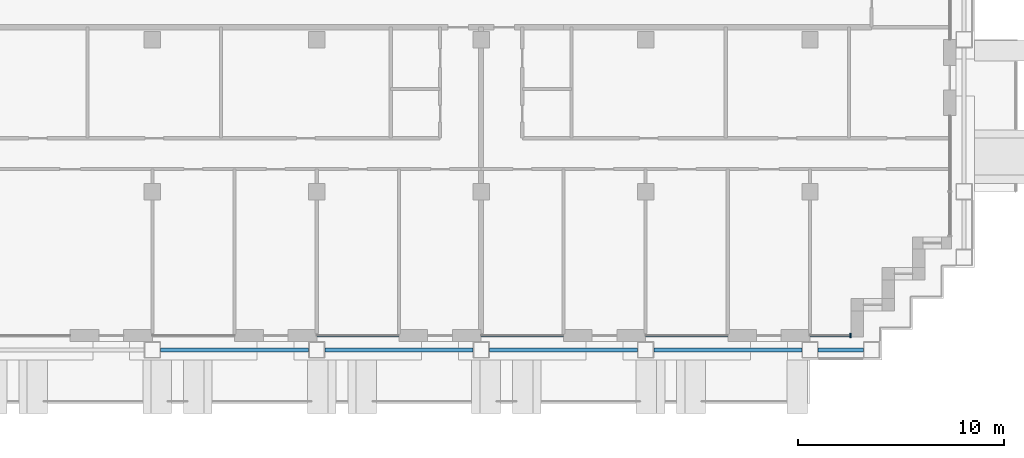
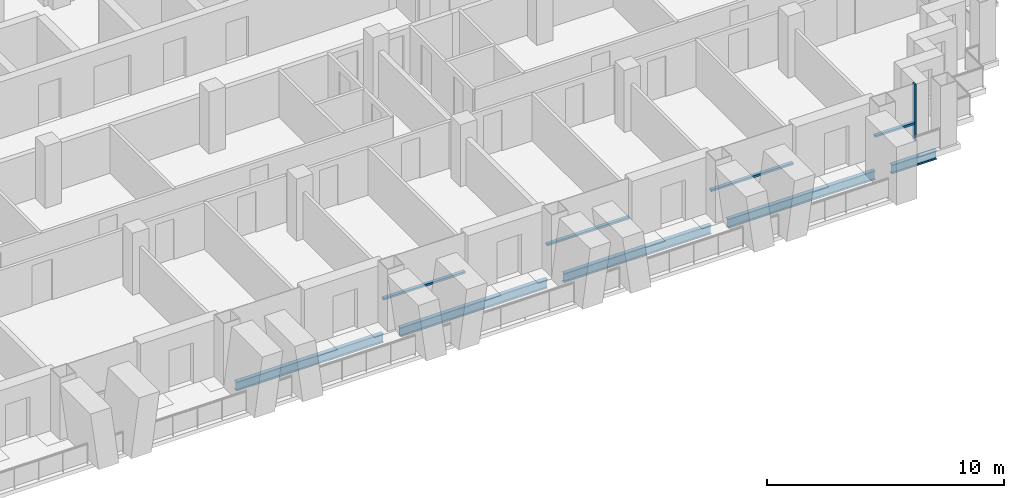
# One storey, part 3 of 18: 5 beams, 5 members, 4 elements without a shape of their own.
"""IFC4 building model written with IfcOpenShell, lengths in metres."""

from ifc_helpers import new_model, si_unit, direction, frame, origin, origin_2d, place, context, subcontext, project, spatial, rectangle, i_section, extrude, material, material_profile, profile_set, type_object, element, aggregate, save


model = new_model("IFC4")

# Units and contexts
model_context = context("Model", 3, precision=1e-05, world=origin(), true_north=direction((0.0, 1.0)))
body_context = subcontext(model_context, "Body", "Model", "MODEL_VIEW")
ifc_project = project(units=[si_unit("LENGTHUNIT", "METRE"), si_unit("AREAUNIT", "SQUARE_METRE"), si_unit("VOLUMEUNIT", "CUBIC_METRE"), si_unit("PLANEANGLEUNIT", "RADIAN"), si_unit("MASSUNIT", "GRAM", prefix="KILO")], contexts=[model_context])

# Site, building, storey
site_placement = place(None, origin())
site = spatial("IfcSite", under=ifc_project, at=site_placement, CompositionType="ELEMENT")
building_placement = place(site_placement, origin())
building = spatial("IfcBuilding", under=site, at=building_placement, Name="Vidyagriha Tower", CompositionType="ELEMENT")
storey_placement = place(building_placement, frame((0.0, 0.0, 142.199951171875)))
storey = spatial("IfcBuildingStorey", under=building, at=storey_placement, Name="L37", CompositionType="ELEMENT", Elevation=142.199951171875)

# Beams
ifc_material_1 = material(Name="Steel ASTM A992 Grade 50", Category="steel")
ifc_material_profile_1 = material_profile(ifc_material_1, i_section(OverallWidth=0.19189453125, OverallDepth=0.46240234375, WebThickness=0.010498046875, FlangeThickness=0.017578125, at=origin_2d()), Name="W18X60")
ifc_profile_set_1 = profile_set([ifc_material_profile_1], Name="Steel ASTM A992 Grade 50")
beam_type = type_object("IfcBeamType", Name="Edge beam W18X60", PredefinedType="SPANDREL", material=ifc_profile_set_1)
for number, where, z_axis, x_axis, name in (
    (1, (-5.60009765625, -17.10009765625, -0.510986328125), (1.0, 0.0, 0.0), (0.0, 1.0, 0.0), "st-beam-L37-S04"),
    (2, (2.39990234375, -17.10009765625, -0.510986328125), (1.0, 0.0, 0.0), (0.0, 1.0, 0.0), "st-beam-L37-S05"),
    (3, (10.39990234375, -17.10009765625, -0.510986328125), (1.0, 0.0, 0.0), (0.0, 1.0, 0.0), "st-beam-L37-S06"),
    (4, (18.39990234375, -17.10009765625, -0.510986328125), (1.0, 0.0, 0.0), (0.0, 1.0, 0.0), "st-beam-L37-S07"),
):
    element("IfcBeam", number, at=place(storey_placement, frame(where, z_axis=z_axis, x_axis=x_axis)), inside=storey, type_object=beam_type, Name=name, PredefinedType="SPANDREL", context=body_context, shape_type="SweptSolid", body=[
        extrude(i_section(OverallWidth=0.19189453125, OverallDepth=0.46240234375, WebThickness=0.010498046875, FlangeThickness=0.017578125, at=origin_2d()), origin(), (0.0, 0.0, 1.0), 7.2001953125),
    ])
beam_placement = place(storey_placement, frame((26.39990234375, -17.10009765625, -0.510986328125), z_axis=(1.0, 0.0, 0.0), x_axis=(0.0, 1.0, 0.0)))
element("IfcBeam", 5, at=beam_placement, inside=storey, type_object=beam_type, Name="st-beam-L37-S08", PredefinedType="SPANDREL", context=body_context, shape_type="SweptSolid", body=[
    extrude(i_section(OverallWidth=0.19189453125, OverallDepth=0.46240234375, WebThickness=0.010498046875, FlangeThickness=0.017578125, at=origin_2d()), origin(), (0.0, 0.0, 1.0), 2.2001953125),
])

# Curtain wall, member
ifc_material_2 = material(Name="Aluminium and glass curtain wall", Category="aluminium")
curtain_wall_type = type_object("IfcCurtainWallType", Name="Dwelling skin unitised curtain wall", PredefinedType="USERDEFINED", material=ifc_material_2)
curtain_wall_1_placement = place(storey_placement, origin())
curtain_wall_1 = element("IfcCurtainWall", 6, at=curtain_wall_1_placement, inside=storey, type_object=curtain_wall_type, Name="CW1 dwelling skin", ObjectType="UNITISED", PredefinedType="USERDEFINED")
ifc_material_3 = material(Name="Aluminium black anodised", Category="aluminium")
ifc_material_profile_2 = material_profile(ifc_material_3, rectangle(XDim=0.199951171875, YDim=0.070068359375, at=origin_2d()), Name="Mullion 70x200 black aluminium")
ifc_profile_set_2 = profile_set([ifc_material_profile_2], Name="Aluminium black anodised")
member_type_1 = type_object("IfcMemberType", Name="Mullion 70x200 black aluminium", PredefinedType="MULLION", material=ifc_profile_set_2)
member_1_placement = place(storey_placement, frame((27.965087890625, -16.39990234375, 0.0), z_axis=(0.0, 0.0, 1.0), x_axis=(0.0, 1.0, 0.0)))
member_1 = element("IfcMember", 7, at=member_1_placement, type_object=member_type_1, Name="CW1 mullion 2", PredefinedType="MULLION", context=body_context, shape_type="SweptSolid", body=[
    extrude(rectangle(XDim=0.199951171875, YDim=0.070068359375, at=origin_2d()), origin(), (0.0, 0.0, 1.0), 2.920166015625),
])

curtain_wall_2_placement = place(storey_placement, origin())
curtain_wall_2 = element("IfcCurtainWall", 8, at=curtain_wall_2_placement, inside=storey, type_object=curtain_wall_type, Name="CW1 dwelling skin", ObjectType="UNITISED", PredefinedType="USERDEFINED")
ifc_material_4 = material(Name="Aluminium black anodised", Category="aluminium")
ifc_material_profile_3 = material_profile(ifc_material_4, rectangle(XDim=0.159912109375, YDim=0.10009765625, at=origin_2d()), Name="Transom 100x160 black aluminium")
ifc_profile_set_3 = profile_set([ifc_material_profile_3], Name="Aluminium black anodised")
member_type_2 = type_object("IfcMemberType", Name="Transom 100x160 black aluminium", PredefinedType="USERDEFINED", material=ifc_profile_set_3)
member_2_placement = place(storey_placement, frame((2.0, -16.39990234375, 0.900146484375), z_axis=(1.0, 0.0, 0.0), x_axis=(0.0, 1.0, 0.0)))
member_2 = element("IfcMember", 9, at=member_2_placement, type_object=member_type_2, Name="CW1 transom 1.1", ObjectType="TRANSOM", PredefinedType="USERDEFINED", context=body_context, shape_type="SweptSolid", body=[
    extrude(rectangle(XDim=0.159912109375, YDim=0.10009765625, at=origin_2d()), origin(), (0.0, 0.0, 1.0), 4.0),
])
aggregate(curtain_wall_2, [member_2])

curtain_wall_3_placement = place(storey_placement, origin())
curtain_wall_3 = element("IfcCurtainWall", 10, at=curtain_wall_3_placement, inside=storey, type_object=curtain_wall_type, Name="CW1 dwelling skin", ObjectType="UNITISED", PredefinedType="USERDEFINED")
member_3_placement = place(storey_placement, frame((10.0, -16.39990234375, 0.900146484375), z_axis=(1.0, 0.0, 0.0), x_axis=(0.0, 1.0, 0.0)))
member_3 = element("IfcMember", 11, at=member_3_placement, type_object=member_type_2, Name="CW1 transom 1.1", ObjectType="TRANSOM", PredefinedType="USERDEFINED", context=body_context, shape_type="SweptSolid", body=[
    extrude(rectangle(XDim=0.159912109375, YDim=0.10009765625, at=origin_2d()), origin(), (0.0, 0.0, 1.0), 4.0),
])
aggregate(curtain_wall_3, [member_3])

curtain_wall_4_placement = place(storey_placement, origin())
curtain_wall_4 = element("IfcCurtainWall", 12, at=curtain_wall_4_placement, inside=storey, type_object=curtain_wall_type, Name="CW1 dwelling skin", ObjectType="UNITISED", PredefinedType="USERDEFINED")
member_4_placement = place(storey_placement, frame((18.0, -16.39990234375, 0.900146484375), z_axis=(1.0, 0.0, 0.0), x_axis=(0.0, 1.0, 0.0)))
member_4 = element("IfcMember", 13, at=member_4_placement, type_object=member_type_2, Name="CW1 transom 1.1", ObjectType="TRANSOM", PredefinedType="USERDEFINED", context=body_context, shape_type="SweptSolid", body=[
    extrude(rectangle(XDim=0.159912109375, YDim=0.10009765625, at=origin_2d()), origin(), (0.0, 0.0, 1.0), 4.0),
])
aggregate(curtain_wall_4, [member_4])

# Member
member_5_placement = place(storey_placement, frame((26.0, -16.39990234375, 0.900146484375), z_axis=(1.0, 0.0, 0.0), x_axis=(0.0, 1.0, 0.0)))
member_5 = element("IfcMember", 14, at=member_5_placement, type_object=member_type_2, Name="CW1 transom 1.1", ObjectType="TRANSOM", PredefinedType="USERDEFINED", context=body_context, shape_type="SweptSolid", body=[
    extrude(rectangle(XDim=0.159912109375, YDim=0.10009765625, at=origin_2d()), origin(), (0.0, 0.0, 1.0), 1.929931640625),
])

aggregate(curtain_wall_1, [member_1, member_5])

save(model, "model.ifc")
